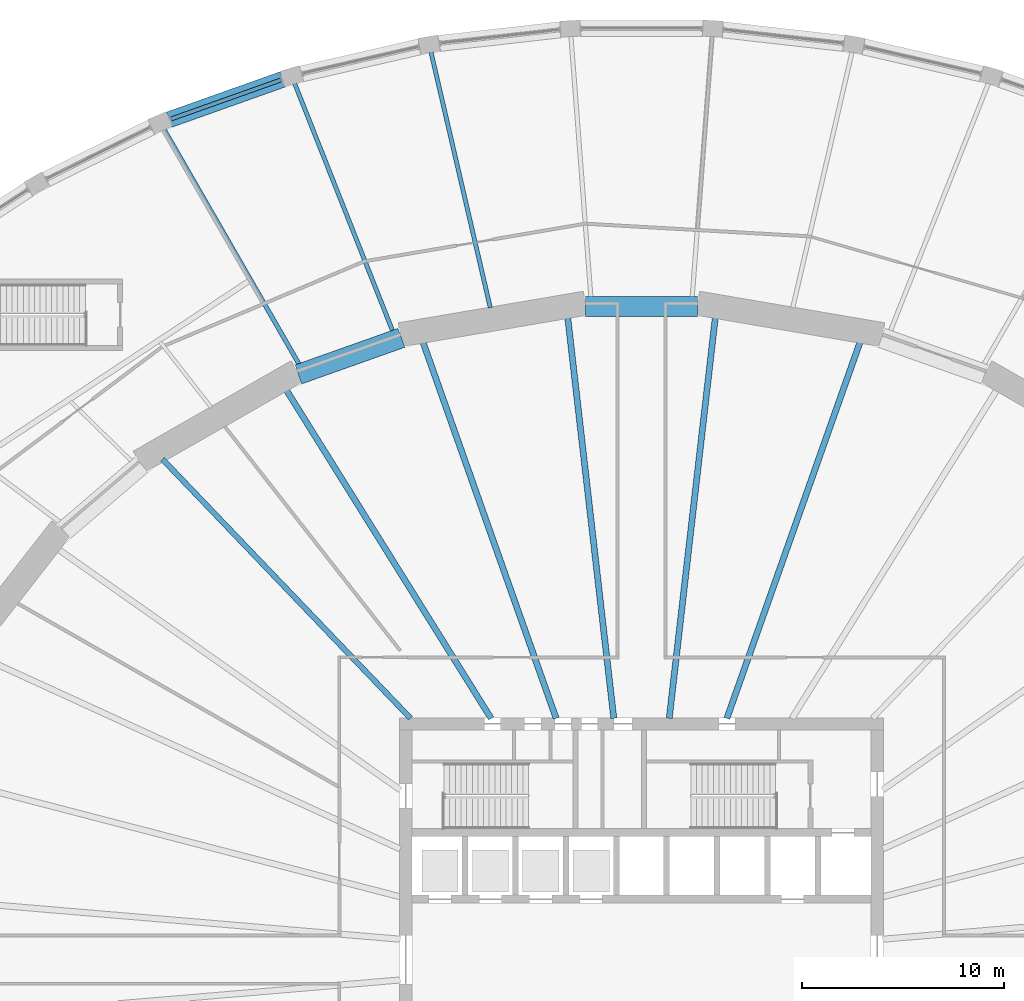
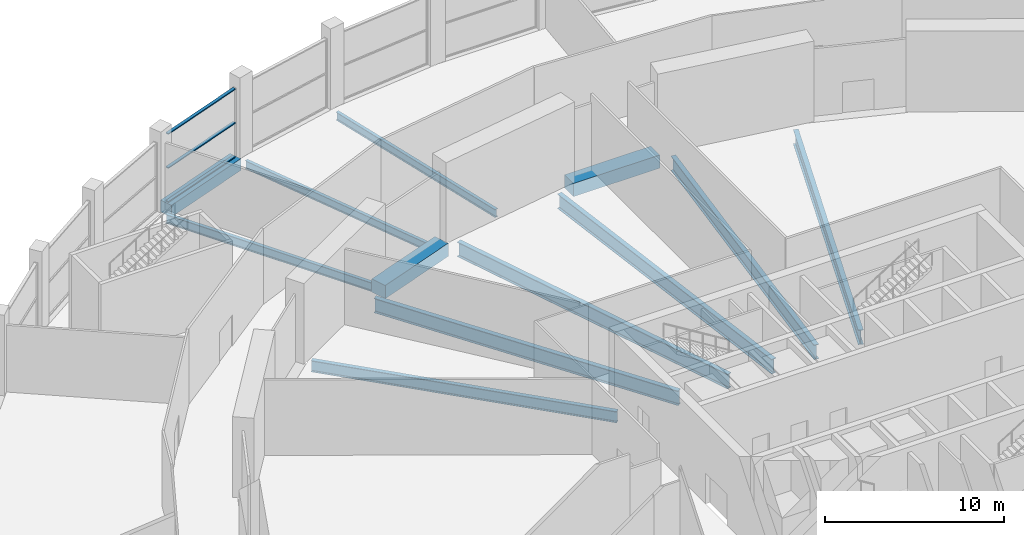
# One storey, part 14 of 29: 12 beams, 3 members, 1 element without a shape of its own.
"""IFC4 building model written with IfcOpenShell, lengths in metres."""

from ifc_helpers import new_model, si_unit, direction, frame, origin, origin_2d, place, context, subcontext, project, spatial, rectangle, i_section, extrude, material, material_profile, profile_set, type_object, element, aggregate, save


model = new_model("IFC4")

# Units and contexts
model_context = context("Model", 3, precision=1e-05, world=origin(), true_north=direction((0.0, 1.0)))
body_context = subcontext(model_context, "Body", "Model", "MODEL_VIEW")
ifc_project = project(units=[si_unit("LENGTHUNIT", "METRE"), si_unit("AREAUNIT", "SQUARE_METRE"), si_unit("VOLUMEUNIT", "CUBIC_METRE"), si_unit("PLANEANGLEUNIT", "RADIAN"), si_unit("MASSUNIT", "GRAM", prefix="KILO")], contexts=[model_context])

# Site, building, storey
site_placement = place(None, origin())
site = spatial("IfcSite", under=ifc_project, at=site_placement, CompositionType="ELEMENT")
building_placement = place(site_placement, origin())
building = spatial("IfcBuilding", under=site, at=building_placement, Name="Halqa Exchange Tower", CompositionType="ELEMENT")
storey_placement = place(building_placement, frame((0.0, 0.0, 7.0)))
storey = spatial("IfcBuildingStorey", under=building, at=storey_placement, Name="L01", CompositionType="ELEMENT", Elevation=7.0)

# Curtain wall, members
ifc_material_1 = material(Name="Anodised aluminium and clear glass", Category="aluminium")
curtain_wall_type = type_object("IfcCurtainWallType", Name="Exchange hall glazing", PredefinedType="NOTDEFINED", material=ifc_material_1)
curtain_wall_placement = place(storey_placement, origin())
curtain_wall = element("IfcCurtainWall", 1, at=curtain_wall_placement, inside=storey, type_object=curtain_wall_type, Name="Exchange hall glazing run P15", PredefinedType="NOTDEFINED")
ifc_material_2 = material(Name="Anodised aluminium", Category="aluminium")
ifc_material_profile_1 = material_profile(ifc_material_2, rectangle(XDim=0.199951171875, YDim=0.070068359375, at=origin_2d()), Name="AL 70x200")
ifc_profile_set_1 = profile_set([ifc_material_profile_1], Name="Anodised aluminium")
member_type = type_object("IfcMemberType", Name="Exchange hall glazing transom 70 x 200", PredefinedType="USERDEFINED", material=ifc_profile_set_1)
member_1_placement = place(storey_placement, frame((-17.894775390625, 43.652099609375, 0.034912109375), z_axis=(-0.942328600126, -0.334689123493, 0.0), x_axis=(0.334689123493, -0.942328600126, 0.0)))
member_1 = element("IfcMember", 2, at=member_1_placement, type_object=member_type, Name="P15 transom 1.1", ObjectType="TRANSOM", PredefinedType="USERDEFINED", context=body_context, shape_type="SweptSolid", body=[
    extrude(rectangle(XDim=0.199951171875, YDim=0.070068359375, at=origin_2d()), origin(), (0.0, 0.0, 1.0), 5.785400390625),
])
member_2_placement = place(storey_placement, frame((-17.894775390625, 43.652099609375, 2.35009765625), z_axis=(-0.942328600126, -0.334689123493, 0.0), x_axis=(0.334689123493, -0.942328600126, 0.0)))
member_2 = element("IfcMember", 3, at=member_2_placement, type_object=member_type, Name="P15 transom 1.2", ObjectType="TRANSOM", PredefinedType="USERDEFINED", context=body_context, shape_type="SweptSolid", body=[
    extrude(rectangle(XDim=0.199951171875, YDim=0.070068359375, at=origin_2d()), origin(), (0.0, 0.0, 1.0), 5.785400390625),
])
member_3_placement = place(storey_placement, frame((-17.894775390625, 43.652099609375, 4.6650390625), z_axis=(-0.942328600126, -0.334689123493, 0.0), x_axis=(0.334689123493, -0.942328600126, 0.0)))
member_3 = element("IfcMember", 4, at=member_3_placement, type_object=member_type, Name="P15 transom 1.3", ObjectType="TRANSOM", PredefinedType="USERDEFINED", context=body_context, shape_type="SweptSolid", body=[
    extrude(rectangle(XDim=0.199951171875, YDim=0.070068359375, at=origin_2d()), origin(), (0.0, 0.0, 1.0), 5.785400390625),
])
aggregate(curtain_wall, [member_1, member_2, member_3])

# Beams
ifc_material_3 = material(Name="Steel S355", Category="steel")
ifc_material_profile_2 = material_profile(ifc_material_3, i_section(OverallWidth=0.300048828125, OverallDepth=0.989990234375, WebThickness=0.0166015625, FlangeThickness=0.031005859375, FilletRadius=0.030029296875, at=origin_2d()), Name="HEA 1000")
ifc_profile_set_2 = profile_set([ifc_material_profile_2], Name="Steel S355")
beam_type_1 = type_object("IfcBeamType", Name="Floor beam HEA 1000", PredefinedType="BEAM", material=ifc_profile_set_2)
beam_1_placement = place(storey_placement, frame((-7.46533203125, 11.971435546875, -0.844970703125), z_axis=(-0.529145823441, 0.848530905468, 0.0), x_axis=(-0.848530905468, -0.529145823441, 0.0)))
element("IfcBeam", 5, at=beam_1_placement, inside=storey, type_object=beam_type_1, Name="Radial beam 11", PredefinedType="BEAM", context=body_context, shape_type="SweptSolid", body=[
    extrude(i_section(OverallWidth=0.300048828125, OverallDepth=0.989990234375, WebThickness=0.0166015625, FlangeThickness=0.031005859375, FilletRadius=0.030029296875, at=origin_2d()), origin(), (0.0, 0.0, 1.0), 19.27294921875),
])
ifc_material_profile_3 = material_profile(ifc_material_3, i_section(OverallWidth=0.300048828125, OverallDepth=1.0, WebThickness=0.01904296875, FlangeThickness=0.035888671875, FilletRadius=0.030029296875, at=origin_2d()), Name="HEB 1000")
ifc_profile_set_3 = profile_set([ifc_material_profile_3], Name="Steel S355")
beam_type_2 = type_object("IfcBeamType", Name="Floor beam HEB 1000", PredefinedType="BEAM", material=ifc_profile_set_3)
beam_2_placement = place(storey_placement, frame((4.23681640625, 11.971923828125, -0.85009765625), z_axis=(0.333633039334, 0.942703025913, 0.0), x_axis=(-0.942703025913, 0.333633039334, 0.0)))
element("IfcBeam", 6, at=beam_2_placement, inside=storey, type_object=beam_type_2, Name="Radial beam 7", PredefinedType="BEAM", context=body_context, shape_type="SweptSolid", body=[
    extrude(i_section(OverallWidth=0.300048828125, OverallDepth=1.0, WebThickness=0.01904296875, FlangeThickness=0.035888671875, FilletRadius=0.030029296875, at=origin_2d()), origin(), (0.0, 0.0, 1.0), 19.885009765625),
])
for number, where, z_axis, x_axis, name in (
    (7, (1.375732421875, 11.972900390625, -0.85009765625), (0.114166838833, 0.99346159106, 0.0), (-0.99346159106, 0.114166838833, 0.0), "Radial beam 8"),
    (8, (-1.375732421875, 11.972900390625, -0.85009765625), (-0.114166838833, 0.99346159106, 0.0), (-0.99346159106, -0.114166838833, 0.0), "Radial beam 9"),
):
    element("IfcBeam", number, at=place(storey_placement, frame(where, z_axis=z_axis, x_axis=x_axis)), inside=storey, type_object=beam_type_2, Name=name, PredefinedType="BEAM", context=body_context, shape_type="SweptSolid", body=[
        extrude(i_section(OverallWidth=0.300048828125, OverallDepth=1.0, WebThickness=0.01904296875, FlangeThickness=0.035888671875, FilletRadius=0.030029296875, at=origin_2d()), origin(), (0.0, 0.0, 1.0), 20.103515625),
    ])
beam_3_placement = place(storey_placement, frame((-4.23681640625, 11.971923828125, -0.85009765625), z_axis=(-0.333633039334, 0.942703025913, 0.0), x_axis=(-0.942703025913, -0.333633039334, 0.0)))
element("IfcBeam", 9, at=beam_3_placement, inside=storey, type_object=beam_type_2, Name="Radial beam 10", PredefinedType="BEAM", context=body_context, shape_type="SweptSolid", body=[
    extrude(i_section(OverallWidth=0.300048828125, OverallDepth=1.0, WebThickness=0.01904296875, FlangeThickness=0.035888671875, FilletRadius=0.030029296875, at=origin_2d()), origin(), (0.0, 0.0, 1.0), 19.885009765625),
])
ifc_material_profile_4 = material_profile(ifc_material_3, i_section(OverallWidth=0.2099609375, OverallDepth=0.550048828125, WebThickness=0.010986328125, FlangeThickness=0.01708984375, FilletRadius=0.02392578125, at=origin_2d()), Name="IPE 550")
ifc_profile_set_4 = profile_set([ifc_material_profile_4], Name="Steel S355")
beam_type_3 = type_object("IfcBeamType", Name="Floor beam IPE 550", PredefinedType="BEAM", material=ifc_profile_set_4)
beam_4_placement = place(storey_placement, frame((-7.5048828125, 32.35009765625, -0.625), z_axis=(-0.2259960959, 0.974128207495, 0.0), x_axis=(-0.974128207495, -0.2259960959, 0.0)))
element("IfcBeam", 10, at=beam_4_placement, inside=storey, type_object=beam_type_3, Name="Radial beam 14", PredefinedType="BEAM", context=body_context, shape_type="SweptSolid", body=[
    extrude(i_section(OverallWidth=0.2099609375, OverallDepth=0.550048828125, WebThickness=0.010986328125, FlangeThickness=0.01708984375, FilletRadius=0.02392578125, at=origin_2d()), origin(), (0.0, 0.0, 1.0), 13.03466796875),
])
beam_5_placement = place(storey_placement, frame((-12.352294921875, 31.2001953125, -0.625), z_axis=(-0.368106640822, 0.929783577497, 0.0), x_axis=(-0.929783577497, -0.368106640822, 0.0)))
element("IfcBeam", 11, at=beam_5_placement, inside=storey, type_object=beam_type_3, Name="Radial beam 15", PredefinedType="BEAM", context=body_context, shape_type="SweptSolid", body=[
    extrude(i_section(OverallWidth=0.2099609375, OverallDepth=0.550048828125, WebThickness=0.010986328125, FlangeThickness=0.01708984375, FilletRadius=0.02392578125, at=origin_2d()), origin(), (0.0, 0.0, 1.0), 13.22412109375),
])
ifc_material_profile_5 = material_profile(ifc_material_3, i_section(OverallWidth=0.219970703125, OverallDepth=0.60009765625, WebThickness=0.011962890625, FlangeThickness=0.01904296875, FilletRadius=0.02392578125, at=origin_2d()), Name="IPE 600")
ifc_profile_set_5 = profile_set([ifc_material_profile_5], Name="Steel S355")
beam_type_4 = type_object("IfcBeamType", Name="Floor beam IPE 600", PredefinedType="BEAM", material=ifc_profile_set_5)
beam_6_placement = place(storey_placement, frame((-16.996826171875, 29.551513671875, -0.64990234375), z_axis=(-0.498570786865, 0.866848989435, 0.0), x_axis=(-0.866848989435, -0.498570786865, 0.0)))
element("IfcBeam", 12, at=beam_6_placement, inside=storey, type_object=beam_type_4, Name="Radial beam 16", PredefinedType="BEAM", context=body_context, shape_type="SweptSolid", body=[
    extrude(i_section(OverallWidth=0.219970703125, OverallDepth=0.60009765625, WebThickness=0.011962890625, FlangeThickness=0.01904296875, FilletRadius=0.02392578125, at=origin_2d()), origin(), (0.0, 0.0, 1.0), 13.438720703125),
])
ifc_material_profile_6 = material_profile(ifc_material_3, i_section(OverallWidth=0.26806640625, OverallDepth=0.77001953125, WebThickness=0.015625, FlangeThickness=0.025390625, FilletRadius=0.01708984375, at=origin_2d()), Name="IPE 750x196")
ifc_profile_set_6 = profile_set([ifc_material_profile_6], Name="Steel S355")
beam_type_5 = type_object("IfcBeamType", Name="Floor beam IPE 750x196", PredefinedType="BEAM", material=ifc_profile_set_6)
beam_7_placement = place(storey_placement, frame((-11.46240234375, 11.9716796875, -0.735107421875), z_axis=(-0.6915763718, 0.722303344841, 0.0), x_axis=(-0.722303344841, -0.6915763718, 0.0)))
element("IfcBeam", 13, at=beam_7_placement, inside=storey, type_object=beam_type_5, Name="Radial beam 12", PredefinedType="BEAM", context=body_context, shape_type="SweptSolid", body=[
    extrude(i_section(OverallWidth=0.26806640625, OverallDepth=0.77001953125, WebThickness=0.015625, FlangeThickness=0.025390625, FilletRadius=0.01708984375, at=origin_2d()), origin(), (0.0, 0.0, 1.0), 17.7978515625),
])
ifc_material_4 = material(Name="Concrete C60/75", Category="concrete")
ifc_material_profile_7 = material_profile(ifc_material_4, rectangle(XDim=0.800048828125, YDim=0.800048828125, at=origin_2d()), Name="800 x 800")
ifc_profile_set_7 = profile_set([ifc_material_profile_7], Name="Concrete C60/75")
beam_type_6 = type_object("IfcBeamType", Name="RC podium edge beam 800 x 800 C60/75", PredefinedType="SPANDREL", material=ifc_profile_set_7)
beam_8_placement = place(storey_placement, frame((-17.802490234375, 43.684814453125, -0.39990234375), z_axis=(-0.942343471221, -0.334647250469, 0.0), x_axis=(0.334647250469, -0.942343471221, 0.0)))
element("IfcBeam", 14, at=beam_8_placement, inside=storey, type_object=beam_type_6, Name="Podium edge beam 15", PredefinedType="SPANDREL", context=body_context, shape_type="SweptSolid", body=[
    extrude(rectangle(XDim=0.800048828125, YDim=0.800048828125, at=origin_2d()), origin(), (0.0, 0.0, 1.0), 5.980712890625),
])
ifc_material_profile_8 = material_profile(ifc_material_4, rectangle(XDim=1.0, YDim=0.89990234375, at=origin_2d()), Name="1000 x 900")
ifc_profile_set_8 = profile_set([ifc_material_profile_8], Name="Concrete C60/75")
beam_type_7 = type_object("IfcBeamType", Name="RC spandrel beam 1000 x 900 C60/75", PredefinedType="SPANDREL", material=ifc_profile_set_8)
beam_9_placement = place(storey_placement, frame((2.789794921875, 32.41455078125, -0.449951171875), z_axis=(-1.0, 0.0, 0.0), x_axis=(0.0, -1.0, 0.0)))
element("IfcBeam", 15, at=beam_9_placement, inside=storey, type_object=beam_type_7, Name="Spandrel 8", PredefinedType="SPANDREL", context=body_context, shape_type="SweptSolid", body=[
    extrude(rectangle(XDim=1.0, YDim=0.89990234375, at=origin_2d()), origin(), (0.0, 0.0, 1.0), 5.57958984375),
])
beam_10_placement = place(storey_placement, frame((-11.9130859375, 30.855712890625, -0.449951171875), z_axis=(-0.942357788657, -0.334606930826, 0.0), x_axis=(0.334606930826, -0.942357788657, 0.0)))
element("IfcBeam", 16, at=beam_10_placement, inside=storey, type_object=beam_type_7, Name="Spandrel 10", PredefinedType="SPANDREL", context=body_context, shape_type="SweptSolid", body=[
    extrude(rectangle(XDim=1.0, YDim=0.89990234375, at=origin_2d()), origin(), (0.0, 0.0, 1.0), 5.429931640625),
])

save(model, "model.ifc")
